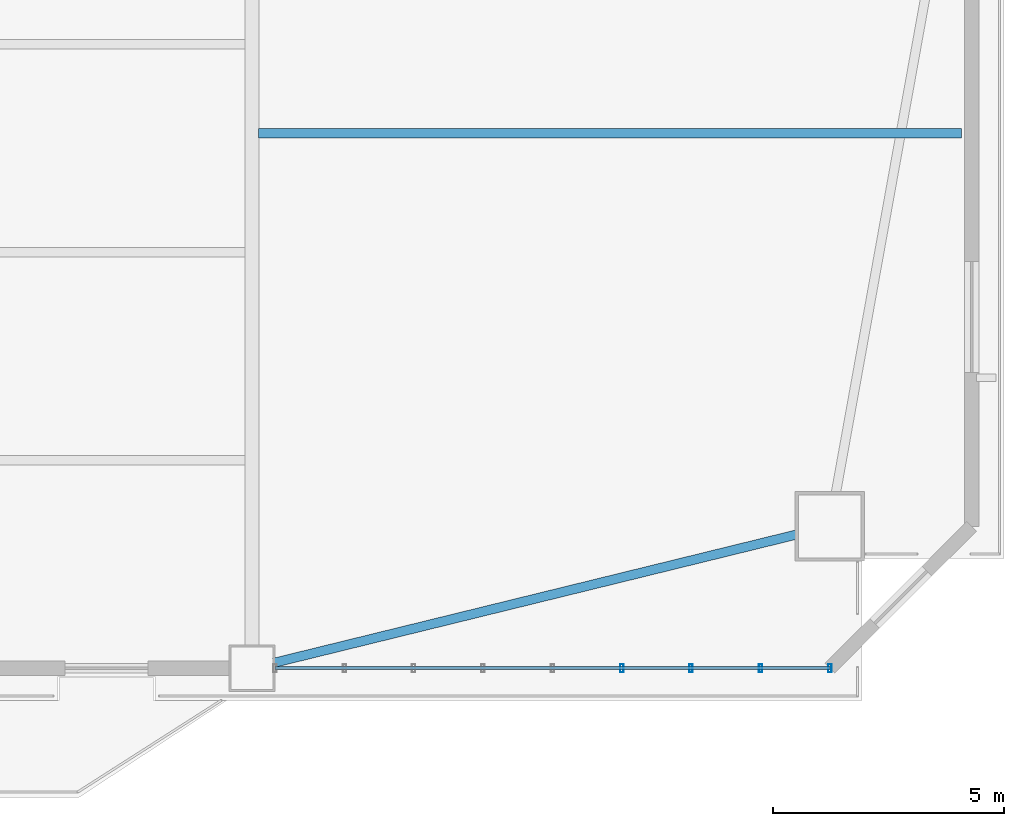
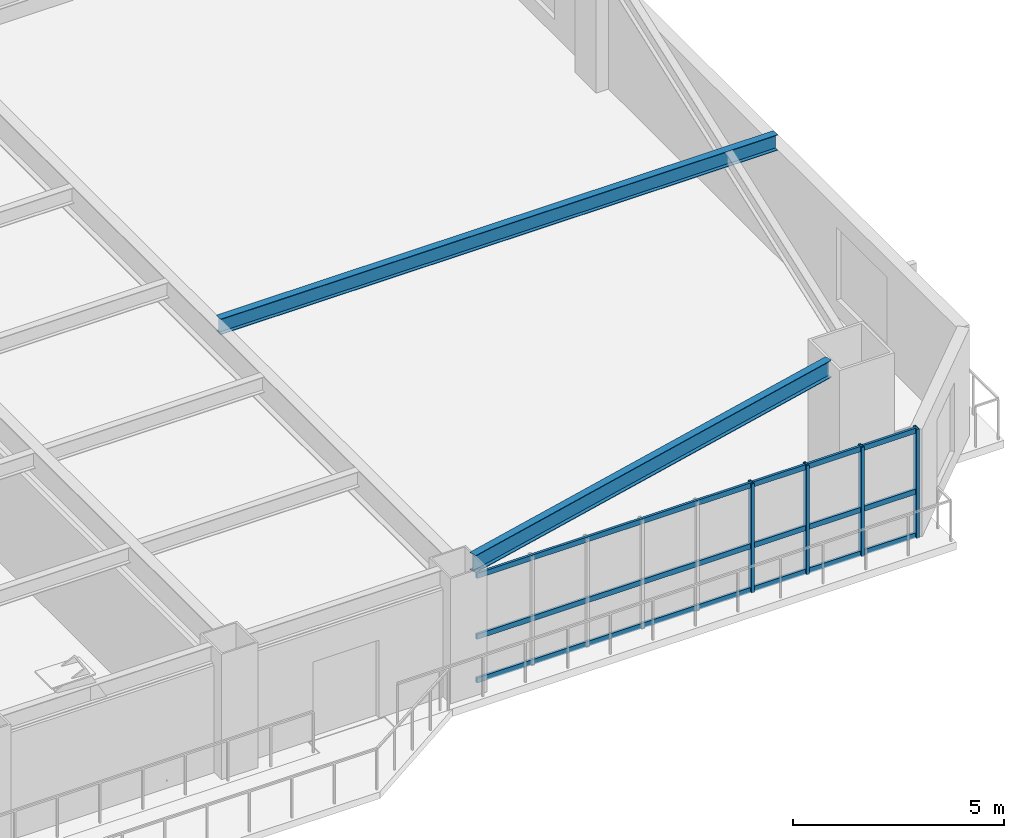
# One storey, part 5 of 16: 7 members, 2 beams, 1 element without a shape of its own.
"""IFC4 building model written with IfcOpenShell, lengths in metres."""

from ifc_helpers import new_model, si_unit, direction, frame, origin, origin_2d, place, context, subcontext, project, spatial, hollow_rectangle, i_section, extrude, source, transform, mapped, material, layer, layer_set, material_profile, profile_set, type_object, element, aggregate, save


model = new_model("IFC4")

# Units and contexts
model_context = context("Model", 3, precision=1e-05, world=origin(), true_north=direction((0.0, 1.0)))
body_context = subcontext(model_context, "Body", "Model", "MODEL_VIEW")
ifc_project = project(units=[si_unit("LENGTHUNIT", "METRE"), si_unit("AREAUNIT", "SQUARE_METRE"), si_unit("VOLUMEUNIT", "CUBIC_METRE"), si_unit("PLANEANGLEUNIT", "RADIAN"), si_unit("MASSUNIT", "GRAM", prefix="KILO")], contexts=[model_context])

# Site, building, storey
site_placement = place(None, origin())
site = spatial("IfcSite", under=ifc_project, at=site_placement, CompositionType="ELEMENT")
building_placement = place(site_placement, origin())
building = spatial("IfcBuilding", under=site, at=building_placement, Name="Giltprow Tower", CompositionType="ELEMENT")
storey_placement = place(building_placement, frame((0.0, 0.0, 91.300048828125)))
storey = spatial("IfcBuildingStorey", under=building, at=storey_placement, Name="L22", CompositionType="ELEMENT", Elevation=91.300048828125)

# Beams
ifc_material_1 = material(Name="Structural steel Q355B", Category="steel")
ifc_material_profile_1 = material_profile(ifc_material_1, i_section(OverallWidth=0.199951171875, OverallDepth=0.5, WebThickness=0.010009765625, FlangeThickness=0.01611328125, at=origin_2d()), Name="HN 500x200x10x16")
ifc_profile_set_1 = profile_set([ifc_material_profile_1], Name="Structural steel Q355B")
beam_type_1 = type_object("IfcBeamType", Name="BM-SPAN-HN500", PredefinedType="SPANDREL", material=ifc_profile_set_1)
shared_shape_1 = source(origin(), body_context, "Body", "SweptSolid", [
    extrude(i_section(OverallWidth=0.199951171875, OverallDepth=0.5, WebThickness=0.010009765625, FlangeThickness=0.01611328125, at=origin_2d()), origin(), (0.0, 0.0, 1.0), 11.6572265625),
])
beam_1_placement = place(storey_placement, frame((51.02099609375, 6.052001953125, 3.369873046875), z_axis=(0.971167309464, 0.238398945109, 0.0), x_axis=(-0.238398945109, 0.971167309464, 0.0)))
element("IfcBeam", 1, at=beam_1_placement, inside=storey, type_object=beam_type_1, Name="L22 Perimeter Spandrel Beam S4-MC_SE", PredefinedType="SPANDREL", context=body_context, shape_type="MappedRepresentation", body=[
    mapped(shared_shape_1, transform((0.0, 0.0, 0.0), x_axis=(1.0, 0.0, 0.0), y_axis=(0.0, 1.0, 0.0), z_axis=(0.0, 0.0, 1.0), scale=1.0)),
])
ifc_material_profile_2 = material_profile(ifc_material_1, i_section(OverallWidth=0.199951171875, OverallDepth=0.449951171875, WebThickness=0.009033203125, FlangeThickness=0.013916015625, at=origin_2d()), Name="HN 450x200x9x14")
ifc_profile_set_2 = profile_set([ifc_material_profile_2], Name="Structural steel Q355B")
beam_type_2 = type_object("IfcBeamType", Name="BM-JOIST-HN450", PredefinedType="JOIST", material=ifc_profile_set_2)
shared_shape_2 = source(origin(), body_context, "Body", "SweptSolid", [
    extrude(i_section(OverallWidth=0.199951171875, OverallDepth=0.449951171875, WebThickness=0.009033203125, FlangeThickness=0.013916015625, at=origin_2d()), origin(), (0.0, 0.0, 1.0), 15.2109375),
])
beam_2_placement = place(storey_placement, frame((50.695068359375, 17.511962890625, 3.39501953125), z_axis=(1.0, 0.0, 0.0), x_axis=(0.0, 1.0, 0.0)))
element("IfcBeam", 2, at=beam_2_placement, inside=storey, type_object=beam_type_2, Name="L22 East Wing Floor Joist 1", PredefinedType="JOIST", context=body_context, shape_type="MappedRepresentation", body=[
    mapped(shared_shape_2, transform((0.0, 0.0, 0.0), x_axis=(1.0, 0.0, 0.0), y_axis=(0.0, 1.0, 0.0), z_axis=(0.0, 0.0, 1.0), scale=1.0)),
])

# Curtain wall, members
ifc_material_2 = material(Name="Anodized bronze", Category="metal")
ifc_layer = layer(ifc_material_2, 0.179931640625, Name="Anodized bronze")
ifc_layer_set = layer_set([ifc_layer], Name="Anodized bronze")
curtain_wall_type = type_object("IfcCurtainWallType", Name="CW-OFF-RECESSED", PredefinedType="NOTDEFINED", material=ifc_layer_set)
curtain_wall_placement = place(storey_placement, origin())
curtain_wall = element("IfcCurtainWall", 3, at=curtain_wall_placement, inside=storey, type_object=curtain_wall_type, Name="L22 South Recessed Curtain Wall 6", PredefinedType="NOTDEFINED")
ifc_material_profile_3 = material_profile(ifc_material_2, hollow_rectangle(XDim=0.074951171875, YDim=0.179931640625, WallThickness=0.008056640625, at=origin_2d()), Name="RHS 180x75x8")
ifc_profile_set_3 = profile_set([ifc_material_profile_3], Name="Anodized bronze")
member_type_1 = type_object("IfcMemberType", Name="CW-MULLION-180x75", PredefinedType="MULLION", material=ifc_profile_set_3)
shared_shape_3 = source(origin(), body_context, "Body", "SweptSolid", [
    extrude(hollow_rectangle(XDim=0.074951171875, YDim=0.179931640625, WallThickness=0.008056640625, at=origin_2d()), origin(), (0.0, 0.0, 1.0), 3.155029296875),
])
member_1_placement = place(storey_placement, frame((58.553955078125, 5.93603515625, -0.02001953125), z_axis=(0.0, 0.0, 1.0), x_axis=(1.0, 0.0, 0.0)))
member_1 = element("IfcMember", 4, at=member_1_placement, type_object=member_type_1, Name="L22 South Recessed Curtain Wall 6 Mullion 6", PredefinedType="MULLION", context=body_context, shape_type="MappedRepresentation", body=[
    mapped(shared_shape_3, transform((0.0, 0.0, 0.0), x_axis=(1.0, 0.0, 0.0), y_axis=(0.0, 1.0, 0.0), z_axis=(0.0, 0.0, 1.0), scale=1.0)),
])
member_2_placement = place(storey_placement, frame((60.053955078125, 5.93603515625, -0.02001953125), z_axis=(0.0, 0.0, 1.0), x_axis=(1.0, 0.0, 0.0)))
member_2 = element("IfcMember", 5, at=member_2_placement, type_object=member_type_1, Name="L22 South Recessed Curtain Wall 6 Mullion 7", PredefinedType="MULLION", context=body_context, shape_type="MappedRepresentation", body=[
    mapped(shared_shape_3, transform((0.0, 0.0, 0.0), x_axis=(1.0, 0.0, 0.0), y_axis=(0.0, 1.0, 0.0), z_axis=(0.0, 0.0, 1.0), scale=1.0)),
])
member_3_placement = place(storey_placement, frame((61.554931640625, 5.93603515625, -0.02001953125), z_axis=(0.0, 0.0, 1.0), x_axis=(1.0, 0.0, 0.0)))
member_3 = element("IfcMember", 6, at=member_3_placement, type_object=member_type_1, Name="L22 South Recessed Curtain Wall 6 Mullion 8", PredefinedType="MULLION", context=body_context, shape_type="MappedRepresentation", body=[
    mapped(shared_shape_3, transform((0.0, 0.0, 0.0), x_axis=(1.0, 0.0, 0.0), y_axis=(0.0, 1.0, 0.0), z_axis=(0.0, 0.0, 1.0), scale=1.0)),
])
member_4_placement = place(storey_placement, frame((63.055908203125, 5.93603515625, -0.02001953125), z_axis=(0.0, 0.0, 1.0), x_axis=(1.0, 0.0, 0.0)))
member_4 = element("IfcMember", 7, at=member_4_placement, type_object=member_type_1, Name="L22 South Recessed Curtain Wall 6 Mullion 9", PredefinedType="MULLION", context=body_context, shape_type="MappedRepresentation", body=[
    mapped(shared_shape_3, transform((0.0, 0.0, 0.0), x_axis=(1.0, 0.0, 0.0), y_axis=(0.0, 1.0, 0.0), z_axis=(0.0, 0.0, 1.0), scale=1.0)),
])
ifc_material_profile_4 = material_profile(ifc_material_2, hollow_rectangle(XDim=0.06494140625, YDim=0.14990234375, WallThickness=0.006103515625, at=origin_2d()), Name="RHS 150x65x6")
ifc_profile_set_4 = profile_set([ifc_material_profile_4], Name="Anodized bronze")
member_type_2 = type_object("IfcMemberType", Name="CW-TRANSOM-150x65", PredefinedType="USERDEFINED", material=ifc_profile_set_4)
shared_shape_4 = source(origin(), body_context, "Body", "SweptSolid", [
    extrude(hollow_rectangle(XDim=0.06494140625, YDim=0.14990234375, WallThickness=0.006103515625, at=origin_2d()), origin(), (0.0, 0.0, 1.0), 12.005859375),
])
member_5_placement = place(storey_placement, frame((51.050048828125, 5.93603515625, 0.0400390625), z_axis=(1.0, 0.0, 0.0), x_axis=(0.0, 1.0, 0.0)))
member_5 = element("IfcMember", 8, at=member_5_placement, type_object=member_type_2, Name="L22 South Recessed Curtain Wall 6 Transom 1", ObjectType="TRANSOM", PredefinedType="USERDEFINED", context=body_context, shape_type="MappedRepresentation", body=[
    mapped(shared_shape_4, transform((0.0, 0.0, 0.0), x_axis=(1.0, 0.0, 0.0), y_axis=(0.0, 1.0, 0.0), z_axis=(0.0, 0.0, 1.0), scale=1.0)),
])
member_6_placement = place(storey_placement, frame((51.050048828125, 5.93603515625, 1.302001953125), z_axis=(1.0, 0.0, 0.0), x_axis=(0.0, 1.0, 0.0)))
member_6 = element("IfcMember", 9, at=member_6_placement, type_object=member_type_2, Name="L22 South Recessed Curtain Wall 6 Transom 2", ObjectType="TRANSOM", PredefinedType="USERDEFINED", context=body_context, shape_type="MappedRepresentation", body=[
    mapped(shared_shape_4, transform((0.0, 0.0, 0.0), x_axis=(1.0, 0.0, 0.0), y_axis=(0.0, 1.0, 0.0), z_axis=(0.0, 0.0, 1.0), scale=1.0)),
])
member_7_placement = place(storey_placement, frame((51.050048828125, 5.93603515625, 3.06005859375), z_axis=(1.0, 0.0, 0.0), x_axis=(0.0, 1.0, 0.0)))
member_7 = element("IfcMember", 10, at=member_7_placement, type_object=member_type_2, Name="L22 South Recessed Curtain Wall 6 Transom 3", ObjectType="TRANSOM", PredefinedType="USERDEFINED", context=body_context, shape_type="MappedRepresentation", body=[
    mapped(shared_shape_4, transform((0.0, 0.0, 0.0), x_axis=(1.0, 0.0, 0.0), y_axis=(0.0, 1.0, 0.0), z_axis=(0.0, 0.0, 1.0), scale=1.0)),
])
aggregate(curtain_wall, [member_1, member_2, member_3, member_4, member_5, member_6, member_7])

save(model, "model.ifc")
